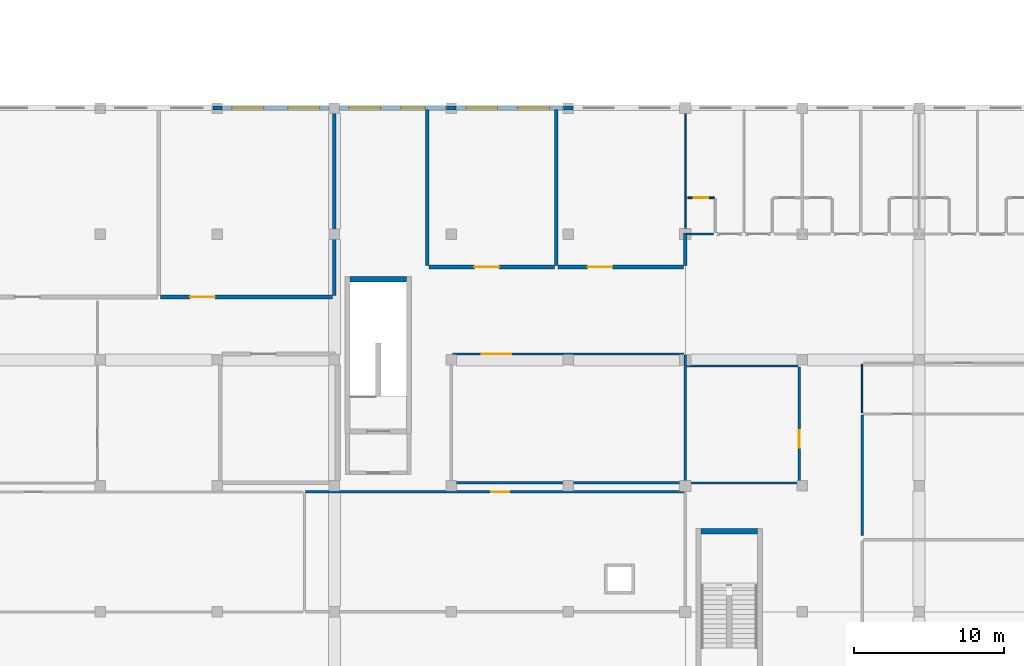
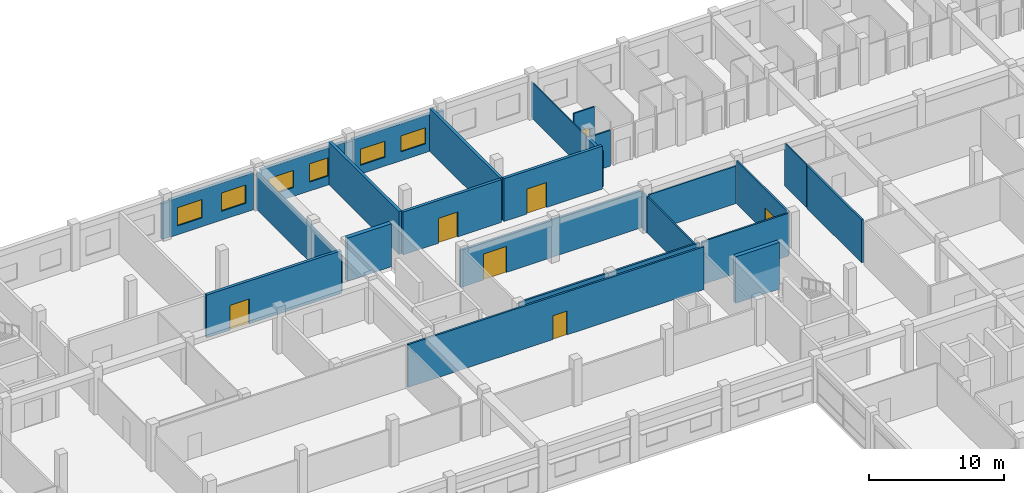
# One storey, part 40 of 53: 28 walls, 7 doors, 6 windows, 13 openings.
"""IFC4 building model written with IfcOpenShell, lengths in metres."""

import ifcopenshell
import ifcopenshell.guid

model = None  # the IFC model being written
_history = None  # IfcOwnerHistory: only IFC2X3 demands one
_inside = {}  # id of a spatial element -> (the spatial element, [elements in it])
_under = {}  # id of a project, library or spatial element -> (it, [spatial elements below it])
_declared = {}  # id of a project -> (the project, [libraries it declares])
_typed = {}  # id of a type object -> (the type object, [elements of that type])
_made_of = {}  # id of a material, layer set ... -> (it, [elements and type objects made of it])


def new_model(schema):
    """Start an empty IFC model of exactly this schema.

    Asked for "IFC4X3", IfcOpenShell would pick the latest addendum, in which some entities
    have other attributes; the version numbers below select the first issue.
    IFC2X3 requires an IfcOwnerHistory on every rooted entity: one is made here for all.
    """
    global model, _history
    if schema == "IFC4X3":
        model = ifcopenshell.file(schema_version=(4, 3, 0, 0))
    else:
        model = ifcopenshell.file(schema=schema)
    _inside.clear()
    _under.clear()
    _declared.clear()
    _typed.clear()
    _made_of.clear()
    _history = None
    if model.schema == "IFC2X3":
        org = make("IfcOrganization", Name="unknown")
        user = make(
            "IfcPersonAndOrganization",
            ThePerson=make("IfcPerson", FamilyName="unknown"),
            TheOrganization=org,
        )
        app = make(
            "IfcApplication",
            ApplicationDeveloper=org,
            Version="unknown",
            ApplicationFullName="unknown",
            ApplicationIdentifier="unknown",
        )
        _history = make(
            "IfcOwnerHistory",
            OwningUser=user,
            OwningApplication=app,
            ChangeAction="ADDED",
            CreationDate=0,
        )
    return model


def make(cls, **values):
    """One entity of the class cls with the attributes given. An attribute that is None is left unset."""
    return model.create_entity(
        cls, **{name: value for name, value in values.items() if value is not None}
    )


def rooted(cls, **values):
    """An entity with a GlobalId (a new one), such as an element, a storey or a relation."""
    return make(cls, GlobalId=ifcopenshell.guid.new(), OwnerHistory=_history, **values)


def si_unit(unit_type, name, prefix=None):
    """IfcSIUnit, for example si_unit("LENGTHUNIT", "METRE", prefix="MILLI")."""
    return make("IfcSIUnit", UnitType=unit_type, Prefix=prefix, Name=name)


def assignment(units):
    """IfcUnitAssignment: the units of a project."""
    return None if units is None else make("IfcUnitAssignment", Units=units)


def point(xyz):
    """IfcCartesianPoint."""
    return None if xyz is None else make("IfcCartesianPoint", Coordinates=xyz)


def direction(xyz):
    """IfcDirection."""
    return None if xyz is None else make("IfcDirection", DirectionRatios=xyz)


def frame(location, z_axis=None, x_axis=None):
    """IfcAxis2Placement3D, a coordinate frame: its origin and axes. An axis left out is left unset."""
    return make(
        "IfcAxis2Placement3D",
        Location=point(location),
        Axis=direction(z_axis),
        RefDirection=direction(x_axis),
    )


def frame_2d(location, x_axis=None):
    """IfcAxis2Placement2D, a coordinate frame in the plane: its origin and x axis."""
    return make(
        "IfcAxis2Placement2D", Location=point(location), RefDirection=direction(x_axis)
    )


def origin():
    """The frame at (0, 0, 0) with its axes left unset."""
    return frame((0.0, 0.0, 0.0))


def place(relative_to, where):
    """IfcLocalPlacement: puts the frame where relative to a parent placement (None: the world)."""
    return make(
        "IfcLocalPlacement", PlacementRelTo=relative_to, RelativePlacement=where
    )


def context(
    kind, dimensions, precision=None, world=None, true_north=None, identifier=None
):
    """IfcGeometricRepresentationContext, for example the 3D "Model" context."""
    return make(
        "IfcGeometricRepresentationContext",
        ContextIdentifier=identifier,
        ContextType=kind,
        CoordinateSpaceDimension=dimensions,
        Precision=precision,
        WorldCoordinateSystem=world,
        TrueNorth=true_north,
    )


def subcontext(parent, identifier, kind, view, scale=None):
    """IfcGeometricRepresentationSubContext, for example "Body" below "Model"."""
    return make(
        "IfcGeometricRepresentationSubContext",
        ContextIdentifier=identifier,
        ContextType=kind,
        ParentContext=parent,
        TargetScale=scale,
        TargetView=view,
    )


def project(units=None, contexts=None):
    """IfcProject with its units and contexts."""
    return rooted(
        "IfcProject",
        Name="project",
        RepresentationContexts=contexts,
        UnitsInContext=assignment(units),
    )


def spatial(cls, under=None, at=None, **own):
    """A site, building, storey or space (cls), placed at a placement, below another one or the project."""
    s = rooted(cls, ObjectPlacement=at, **own)
    if under is not None:
        _under.setdefault(under.id(), (under, []))[1].append(s)
    return s


def profile(cls, at=None, kind="AREA", **sizes):
    """A parametric profile (cls). Its sizes go by their IFC names, for example OverallWidth=200.0."""
    return make(cls, ProfileType=kind, Position=at, **sizes)


def rectangle(**sizes):
    """IfcRectangleProfileDef."""
    return profile("IfcRectangleProfileDef", **sizes)


def extrude(swept, where, along, depth):
    """IfcExtrudedAreaSolid: the profile swept, set in the frame where, extruded along a direction by depth."""
    return make(
        "IfcExtrudedAreaSolid",
        SweptArea=swept,
        Position=where,
        ExtrudedDirection=direction(along),
        Depth=depth,
    )


def shape(context_of_items, identifier, shape_type, items):
    """IfcShapeRepresentation: the items that make up one representation, for example the "Body"."""
    return make(
        "IfcShapeRepresentation",
        ContextOfItems=context_of_items,
        RepresentationIdentifier=identifier,
        RepresentationType=shape_type,
        Items=items,
    )


def material(Name=None, Category=None):
    """IfcMaterial."""
    return make("IfcMaterial", Name=Name, Category=Category)


def layer(
    of_material, thickness, ventilated=None, Name=None, Category=None, Priority=None
):
    """IfcMaterialLayer: one layer of a wall or slab, of a material (None: an air gap)."""
    return make(
        "IfcMaterialLayer",
        Material=of_material,
        LayerThickness=thickness,
        IsVentilated=ventilated,
        Name=Name,
        Category=Category,
        Priority=Priority,
    )


def layer_set(layers, Name=None):
    """IfcMaterialLayerSet."""
    return make("IfcMaterialLayerSet", MaterialLayers=layers, LayerSetName=Name)


def made_of(thing, what):
    """Note that an element or type object is made of a material, layer set ...; save() writes the relation."""
    if what is not None:
        _made_of.setdefault(what.id(), (what, []))[1].append(thing)
    return thing


def type_object(cls, material=None, **own):
    """A type object (cls), such as IfcWallType, which elements share."""
    return made_of(rooted(cls, **own), material)


def element(
    cls,
    number,
    at=None,
    inside=None,
    cuts=None,
    type_object=None,
    material=None,
    context=None,
    identifier="Body",
    shape_type=None,
    held_by="IfcProductDefinitionShape",
    body=None,
    shapes=None,
    **own,
):
    """One element of the class cls, such as IfcWall. Its Tag is "e" and its number.

    at: its placement. inside: the storey or other place that contains it. cuts: it is an
    opening in that element (IfcRelVoidsElement). A single representation is given by context,
    identifier, shape_type and body (its items); several are given by shapes. held_by: the class
    of the entity that holds the representations. save() writes the other relations.
    """
    e = rooted(cls, Tag="e%d" % number, ObjectPlacement=at, **own)
    if body is not None:
        shapes = [shape(context, identifier, shape_type, body)]
    if shapes is not None:
        e.Representation = make(held_by, Representations=shapes)
    if inside is not None:
        _inside.setdefault(inside.id(), (inside, []))[1].append(e)
    if cuts is not None:
        rooted(
            "IfcRelVoidsElement", RelatingBuildingElement=cuts, RelatedOpeningElement=e
        )
    if type_object is not None:
        _typed.setdefault(type_object.id(), (type_object, []))[1].append(e)
    return made_of(e, material)


def fill(opening, filler):
    """IfcRelFillsElement: the door or window that sits in an opening."""
    return rooted(
        "IfcRelFillsElement",
        RelatingOpeningElement=opening,
        RelatedBuildingElement=filler,
    )


def aggregate(whole, parts):
    """IfcRelAggregates: a whole, such as a stair, and the parts it consists of."""
    return rooted("IfcRelAggregates", RelatingObject=whole, RelatedObjects=parts)


def save(model, path):
    """Write the relations noted so far, then the file.

    IfcRelAggregates (storeys below a building ...), IfcRelContainedInSpatialStructure (elements
    in a storey), IfcRelDefinesByType, IfcRelAssociatesMaterial and IfcRelDeclares: one each for
    every whole, place, type object, material and project.
    """
    for whole, parts in _under.values():
        aggregate(whole, parts)
    for where, things in _inside.values():
        rooted(
            "IfcRelContainedInSpatialStructure",
            RelatedElements=things,
            RelatingStructure=where,
        )
    for kind, things in _typed.values():
        rooted("IfcRelDefinesByType", RelatedObjects=things, RelatingType=kind)
    for what, things in _made_of.values():
        rooted("IfcRelAssociatesMaterial", RelatedObjects=things, RelatingMaterial=what)
    for by, libraries in _declared.values():
        rooted("IfcRelDeclares", RelatingContext=by, RelatedDefinitions=libraries)
    model.write(path)


model = new_model("IFC4")

# Units and contexts
model_context = context("Model", 3, precision=1e-05, world=origin(), true_north=direction((0.0, 1.0)))
body_context = subcontext(model_context, "Body", "Model", "MODEL_VIEW")
ifc_project = project(units=[si_unit("LENGTHUNIT", "METRE"), si_unit("AREAUNIT", "SQUARE_METRE"), si_unit("VOLUMEUNIT", "CUBIC_METRE"), si_unit("PLANEANGLEUNIT", "RADIAN"), si_unit("MASSUNIT", "GRAM", prefix="KILO"), si_unit("THERMODYNAMICTEMPERATUREUNIT", "KELVIN"), si_unit("POWERUNIT", "WATT")], contexts=[model_context])

# Site, building, storey
site_placement = place(None, origin())
site = spatial("IfcSite", under=ifc_project, at=site_placement, CompositionType="ELEMENT")
building_placement = place(site_placement, origin())
building = spatial("IfcBuilding", under=site, at=building_placement, Name="Srebrne Nadtorze General Hospital", CompositionType="ELEMENT")
storey_placement = place(building_placement, frame((0.0, 0.0, 18.0)))
storey = spatial("IfcBuildingStorey", under=building, at=storey_placement, Name="L04", CompositionType="ELEMENT", Elevation=18.0)

# Wall, opening, door
ifc_material_1 = material(Name="Gypsum Healthcare Partition")
ifc_layer_1 = layer(ifc_material_1, 0.139892578125)
ifc_layer_set_1 = layer_set([ifc_layer_1], Name="Gypsum Healthcare Partition")
wall_type_1 = type_object("IfcWallType", Name="Clinical partition 140", PredefinedType="PARTITIONING", material=ifc_layer_set_1)
wall_1_placement = place(storey_placement, frame((109.0, 67.485107421875, 0.0), z_axis=(0.0, 0.0, 1.0), x_axis=(0.0, 1.0, 0.0)))
wall_1 = element("IfcWall", 1, at=wall_1_placement, inside=storey, type_object=wall_type_1, Name="Ward Telemetry Monitoring Room wall WL-INT-L04-1861", PredefinedType="PARTITIONING", context=body_context, shape_type="SweptSolid", body=[
    extrude(rectangle(XDim=7.6298828125, YDim=0.139892578125, at=frame_2d((3.81494140625, 0.0))), origin(), (0.0, 0.0, 1.0), 3.864990234375),
])
opening_1_placement = place(wall_1_placement, frame((2.25341796875, 0.0, 0.0)))
opening_1 = element("IfcOpeningElement", 2, at=opening_1_placement, cuts=wall_1, Name="Opening D-L04-0356", PredefinedType="OPENING", context=body_context, shape_type="SweptSolid", body=[
    extrude(rectangle(XDim=1.179931640625, YDim=2.199951171875, at=frame_2d((0.58984375, 1.10009765625))), frame((0.0, 0.08203125, 0.0), z_axis=(0.0, -1.0, 0.0), x_axis=(1.0, 0.0, 0.0)), (0.0, 0.0, 1.0), 0.163818359375),
])
ifc_material_2 = material(Name="Anodised Aluminium", Category="aluminium")
door_type_1 = type_object("IfcDoorType", Name="Single leaf door 1180x2200", OperationType="NOTDEFINED", PredefinedType="DOOR", material=ifc_material_2)
door_1_placement = place(opening_1_placement, origin())
door_1 = element("IfcDoor", 3, at=door_1_placement, inside=storey, type_object=door_type_1, Name="Ward Telemetry Monitoring Room door D-L04-0356", OperationType="SINGLE_SWING_LEFT", OverallHeight=2.199951171875, OverallWidth=1.179931640625, PredefinedType="DOOR", context=body_context, shape_type="SweptSolid", body=[
    extrude(rectangle(XDim=1.179931640625, YDim=2.199951171875, at=frame_2d((0.58984375, 1.10009765625))), frame((0.0, 0.02490234375, 0.0), z_axis=(0.0, -1.0, 0.0), x_axis=(1.0, 0.0, 0.0)), (0.0, 0.0, 1.0), 0.050048828125),
])
fill(opening_1, door_1)

# Walls
wall_2_placement = place(storey_placement, frame((101.485107421875, 67.39990234375, 0.0), z_axis=(0.0, 0.0, 1.0), x_axis=(1.0, 0.0, 0.0)))
element("IfcWall", 4, at=wall_2_placement, inside=storey, type_object=wall_type_1, Name="Ward Telemetry Monitoring Room wall WL-INT-L04-1862", PredefinedType="PARTITIONING", context=body_context, shape_type="SweptSolid", body=[
    extrude(rectangle(XDim=7.429931640625, YDim=0.139892578125, at=frame_2d((3.71484375, 0.0))), origin(), (0.0, 0.0, 1.0), 3.864990234375),
])
wall_3_placement = place(storey_placement, frame((101.485107421875, 75.199951171875, 0.0), z_axis=(0.0, 0.0, 1.0), x_axis=(1.0, 0.0, 0.0)))
element("IfcWall", 5, at=wall_3_placement, inside=storey, type_object=wall_type_1, Name="Ward Telemetry Monitoring Room wall WL-INT-L04-1863", PredefinedType="PARTITIONING", context=body_context, shape_type="SweptSolid", body=[
    extrude(rectangle(XDim=7.429931640625, YDim=0.139892578125, at=frame_2d((3.71484375, 0.0))), origin(), (0.0, 0.0, 1.0), 3.385009765625),
])
wall_4_placement = place(storey_placement, frame((101.39990234375, 67.485107421875, 0.0), z_axis=(0.0, 0.0, 1.0), x_axis=(0.0, 1.0, 0.0)))
element("IfcWall", 6, at=wall_4_placement, inside=storey, type_object=wall_type_1, Name="Ward Telemetry Monitoring Room wall WL-INT-L04-1864", PredefinedType="PARTITIONING", context=body_context, shape_type="SweptSolid", body=[
    extrude(rectangle(XDim=7.6298828125, YDim=0.139892578125, at=frame_2d((3.81494140625, 0.0))), origin(), (0.0, 0.0, 1.0), 3.235107421875),
])
ifc_material_3 = material(Name="Gypsum Healthcare Partition")
ifc_layer_2 = layer(ifc_material_3, 0.159912109375)
ifc_layer_set_2 = layer_set([ifc_layer_2], Name="Gypsum Healthcare Partition")
wall_type_2 = type_object("IfcWallType", Name="Clinical partition 160", PredefinedType="PARTITIONING", material=ifc_layer_set_2)
wall_5_placement = place(storey_placement, frame((113.199951171875, 63.885009765625, 0.0), z_axis=(0.0, 0.0, 1.0), x_axis=(0.0, 1.0, 0.0)))
element("IfcWall", 7, at=wall_5_placement, inside=storey, type_object=wall_type_2, Name="Coronary Step-Down Ward wall WL-INT-L04-1849", PredefinedType="PARTITIONING", context=body_context, shape_type="SweptSolid", body=[
    extrude(rectangle(XDim=8.030029296875, YDim=0.159912109375, at=frame_2d((4.01513671875, 0.0))), origin(), (0.0, 0.0, 1.0), 3.864990234375),
])

# Wall, opening, door
wall_6_placement = place(storey_placement, frame((85.885009765625, 76.0, 0.0), z_axis=(0.0, 0.0, 1.0), x_axis=(1.0, 0.0, 0.0)))
wall_6 = element("IfcWall", 8, at=wall_6_placement, inside=storey, type_object=wall_type_2, Name="Surgical Scrub and Perfusion Suite wall WL-INT-L04-1889", PredefinedType="PARTITIONING", context=body_context, shape_type="SweptSolid", body=[
    extrude(rectangle(XDim=15.429931640625, YDim=0.159912109375, at=frame_2d((7.71484375, 0.0))), origin(), (0.0, 0.0, 1.0), 3.385009765625),
])
opening_2_placement = place(wall_6_placement, frame((1.9580078125, 0.0, 0.0)))
opening_2 = element("IfcOpeningElement", 9, at=opening_2_placement, cuts=wall_6, Name="Opening D-L04-0364", PredefinedType="OPENING", context=body_context, shape_type="SweptSolid", body=[
    extrude(rectangle(XDim=1.949951171875, YDim=2.35009765625, at=frame_2d((0.97509765625, 1.175048828125))), frame((0.0, 0.091796875, 0.0), z_axis=(0.0, -1.0, 0.0), x_axis=(1.0, 0.0, 0.0)), (0.0, 0.0, 1.0), 0.183837890625),
])
ifc_material_4 = material(Name="Anodised Aluminium", Category="aluminium")
door_type_2 = type_object("IfcDoorType", Name="Double leaf door 1950x2350", OperationType="DOUBLE_DOOR_SINGLE_SWING", PredefinedType="DOOR", material=ifc_material_4)
door_2_placement = place(opening_2_placement, frame((1.949951171875, 0.0, 0.0), z_axis=(0.0, 0.0, 1.0), x_axis=(-1.0, 0.0, 0.0)))
door_2 = element("IfcDoor", 10, at=door_2_placement, inside=storey, type_object=door_type_2, Name="Surgical Scrub and Perfusion Suite door D-L04-0364", OperationType="DOUBLE_DOOR_SINGLE_SWING", OverallHeight=2.35009765625, OverallWidth=1.949951171875, PredefinedType="DOOR", context=body_context, shape_type="SweptSolid", body=[
    extrude(rectangle(XDim=1.949951171875, YDim=2.35009765625, at=frame_2d((0.97509765625, 1.175048828125))), frame((0.0, 0.02490234375, 0.0), z_axis=(0.0, -1.0, 0.0), x_axis=(1.0, 0.0, 0.0)), (0.0, 0.0, 1.0), 0.050048828125),
])
fill(opening_2, door_2)

# Walls
wall_7_placement = place(storey_placement, frame((85.885009765625, 67.39990234375, 0.0), z_axis=(0.0, 0.0, 1.0), x_axis=(1.0, 0.0, 0.0)))
element("IfcWall", 11, at=wall_7_placement, inside=storey, type_object=wall_type_2, Name="Surgical Scrub and Perfusion Suite wall WL-INT-L04-1890", PredefinedType="PARTITIONING", context=body_context, shape_type="SweptSolid", body=[
    extrude(rectangle(XDim=15.429931640625, YDim=0.159912109375, at=frame_2d((7.71484375, 0.0))), origin(), (0.0, 0.0, 1.0), 3.864990234375),
])
wall_8_placement = place(storey_placement, frame((101.39990234375, 75.155029296875, 0.0), z_axis=(0.0, 0.0, 1.0), x_axis=(0.0, 1.0, 0.0)))
element("IfcWall", 12, at=wall_8_placement, inside=storey, type_object=wall_type_2, Name="Surgical Scrub and Perfusion Suite wall WL-INT-L04-1892", PredefinedType="PARTITIONING", context=body_context, shape_type="SweptSolid", body=[
    extrude(rectangle(XDim=0.760009765625, YDim=0.159912109375, at=frame_2d((0.3798828125, 0.0))), origin(), (0.0, 0.0, 1.0), 3.235107421875),
])

# Wall, opening, door
wall_9_placement = place(storey_placement, frame((76.0849609375, 66.800048828125, 0.0), z_axis=(0.0, 0.0, 1.0), x_axis=(1.0, 0.0, 0.0)))
wall_9 = element("IfcWall", 13, at=wall_9_placement, inside=storey, type_object=wall_type_2, Name="Day Surgery Pre-Operative Suite wall WL-INT-L04-1900", PredefinedType="PARTITIONING", context=body_context, shape_type="SweptSolid", body=[
    extrude(rectangle(XDim=25.22998046875, YDim=0.159912109375, at=frame_2d((12.614990234375, 0.0))), origin(), (0.0, 0.0, 1.0), 3.864990234375),
])
opening_3_placement = place(wall_9_placement, frame((12.361083984375, 0.0, 0.0)))
opening_3 = element("IfcOpeningElement", 14, at=opening_3_placement, cuts=wall_9, Name="Opening D-L04-0367", PredefinedType="OPENING", context=body_context, shape_type="SweptSolid", body=[
    extrude(rectangle(XDim=1.199951171875, YDim=2.14990234375, at=frame_2d((0.60009765625, 1.074951171875))), frame((0.0, 0.091796875, 0.0), z_axis=(0.0, -1.0, 0.0), x_axis=(1.0, 0.0, 0.0)), (0.0, 0.0, 1.0), 0.183837890625),
])
ifc_material_5 = material(Name="Anodised Aluminium", Category="aluminium")
door_type_3 = type_object("IfcDoorType", Name="Single leaf door 1200x2150", OperationType="NOTDEFINED", PredefinedType="DOOR", material=ifc_material_5)
door_3_placement = place(opening_3_placement, frame((1.199951171875, 0.0, 0.0), z_axis=(0.0, 0.0, 1.0), x_axis=(-1.0, 0.0, 0.0)))
door_3 = element("IfcDoor", 15, at=door_3_placement, inside=storey, type_object=door_type_3, Name="Day Surgery Pre-Operative Suite door D-L04-0367", OperationType="SINGLE_SWING_LEFT", OverallHeight=2.14990234375, OverallWidth=1.199951171875, PredefinedType="DOOR", context=body_context, shape_type="SweptSolid", body=[
    extrude(rectangle(XDim=1.199951171875, YDim=2.14990234375, at=frame_2d((0.60009765625, 1.074951171875))), frame((0.0, 0.02490234375, 0.0), z_axis=(0.0, -1.0, 0.0), x_axis=(1.0, 0.0, 0.0)), (0.0, 0.0, 1.0), 0.050048828125),
])
fill(opening_3, door_3)

ifc_material_6 = material(Name="Gypsum Healthcare Partition")
ifc_layer_3 = layer(ifc_material_6, 0.239990234375)
ifc_layer_set_3 = layer_set([ifc_layer_3], Name="Gypsum Healthcare Partition")
wall_type_3 = type_object("IfcWallType", Name="Corridor fire wall 240", PredefinedType="STANDARD", material=ifc_layer_set_3)
wall_10_placement = place(storey_placement, frame((66.409912109375, 79.800048828125, 0.0), z_axis=(0.0, 0.0, 1.0), x_axis=(1.0, 0.0, 0.0)))
wall_10 = element("IfcWall", 16, at=wall_10_placement, inside=storey, type_object=wall_type_3, Name="Operating Theatre wall WL-INT-L04-1875", PredefinedType="STANDARD", context=body_context, shape_type="SweptSolid", body=[
    extrude(rectangle(XDim=11.47998046875, YDim=0.239990234375, at=frame_2d((5.739990234375, 0.0))), origin(), (0.0, 0.0, 1.0), 3.864990234375),
])
opening_4_placement = place(wall_10_placement, frame((1.977783203125, 0.0, 0.0)))
opening_4 = element("IfcOpeningElement", 17, at=opening_4_placement, cuts=wall_10, Name="Opening D-L04-0360", PredefinedType="OPENING", context=body_context, shape_type="SweptSolid", body=[
    extrude(rectangle(XDim=1.64990234375, YDim=2.25, at=frame_2d((0.824951171875, 1.125))), frame((0.0, 0.1318359375, 0.0), z_axis=(0.0, -1.0, 0.0), x_axis=(1.0, 0.0, 0.0)), (0.0, 0.0, 1.0), 0.263916015625),
])
ifc_material_7 = material(Name="Anodised Aluminium", Category="aluminium")
door_type_4 = type_object("IfcDoorType", Name="Double leaf door 1650x2250", OperationType="DOUBLE_DOOR_SINGLE_SWING", PredefinedType="DOOR", material=ifc_material_7)
door_4_placement = place(opening_4_placement, origin())
door_4 = element("IfcDoor", 18, at=door_4_placement, inside=storey, type_object=door_type_4, Name="Operating Theatre door D-L04-0360", OperationType="DOUBLE_DOOR_SINGLE_SWING", OverallHeight=2.25, OverallWidth=1.64990234375, PredefinedType="DOOR", context=body_context, shape_type="SweptSolid", body=[
    extrude(rectangle(XDim=1.64990234375, YDim=2.25, at=frame_2d((0.824951171875, 1.125))), frame((0.0, 0.02490234375, 0.0), z_axis=(0.0, -1.0, 0.0), x_axis=(1.0, 0.0, 0.0)), (0.0, 0.0, 1.0), 0.050048828125),
])
fill(opening_4, door_4)

# Walls
wall_11_placement = place(storey_placement, frame((69.889892578125, 92.39990234375, 0.0), z_axis=(0.0, 0.0, 1.0), x_axis=(1.0, 0.0, 0.0)))
element("IfcWall", 19, at=wall_11_placement, inside=storey, type_object=wall_type_3, Name="Operating Theatre wall WL-INT-L04-1876", PredefinedType="STANDARD", context=body_context, shape_type="SweptSolid", body=[
    extrude(rectangle(XDim=0.6201171875, YDim=0.239990234375, at=frame_2d((0.31005859375, 0.0))), origin(), (0.0, 0.0, 1.0), 3.235107421875),
])
wall_12_placement = place(storey_placement, frame((78.0, 79.909912109375, 0.0), z_axis=(0.0, 0.0, 1.0), x_axis=(0.0, 1.0, 0.0)))
element("IfcWall", 20, at=wall_12_placement, inside=storey, type_object=wall_type_3, Name="Operating Theatre wall WL-INT-L04-1877", PredefinedType="STANDARD", context=body_context, shape_type="SweptSolid", body=[
    extrude(rectangle(XDim=12.380126953125, YDim=0.239990234375, at=frame_2d((6.18994140625, 0.0))), origin(), (0.0, 0.0, 1.0), 3.235107421875),
])

# Wall, opening, door
wall_13_placement = place(storey_placement, frame((84.31005859375, 81.800048828125, 0.0), z_axis=(0.0, 0.0, 1.0), x_axis=(1.0, 0.0, 0.0)))
wall_13 = element("IfcWall", 21, at=wall_13_placement, inside=storey, type_object=wall_type_3, Name="Operating Theatre wall WL-INT-L04-1878", PredefinedType="STANDARD", context=body_context, shape_type="SweptSolid", body=[
    extrude(rectangle(XDim=8.3798828125, YDim=0.239990234375, at=frame_2d((4.18994140625, 0.0))), origin(), (0.0, 0.0, 1.0), 3.864990234375),
])
opening_5_placement = place(wall_13_placement, frame((3.018798828125, 0.0, 0.0)))
opening_5 = element("IfcOpeningElement", 22, at=opening_5_placement, cuts=wall_13, Name="Opening D-L04-0361", PredefinedType="OPENING", context=body_context, shape_type="SweptSolid", body=[
    extrude(rectangle(XDim=1.64990234375, YDim=2.25, at=frame_2d((0.824951171875, 1.125))), frame((0.0, 0.1318359375, 0.0), z_axis=(0.0, -1.0, 0.0), x_axis=(1.0, 0.0, 0.0)), (0.0, 0.0, 1.0), 0.263916015625),
])
door_5_placement = place(opening_5_placement, origin())
door_5 = element("IfcDoor", 23, at=door_5_placement, inside=storey, type_object=door_type_4, Name="Operating Theatre door D-L04-0361", OperationType="DOUBLE_DOOR_SINGLE_SWING", OverallHeight=2.25, OverallWidth=1.64990234375, PredefinedType="DOOR", context=body_context, shape_type="SweptSolid", body=[
    extrude(rectangle(XDim=1.64990234375, YDim=2.25, at=frame_2d((0.824951171875, 1.125))), frame((0.0, 0.02490234375, 0.0), z_axis=(0.0, -1.0, 0.0), x_axis=(1.0, 0.0, 0.0)), (0.0, 0.0, 1.0), 0.050048828125),
])
fill(opening_5, door_5)

# Walls
wall_14_placement = place(storey_placement, frame((85.489990234375, 92.39990234375, 0.0), z_axis=(0.0, 0.0, 1.0), x_axis=(1.0, 0.0, 0.0)))
element("IfcWall", 24, at=wall_14_placement, inside=storey, type_object=wall_type_3, Name="Operating Theatre wall WL-INT-L04-1879", PredefinedType="STANDARD", context=body_context, shape_type="SweptSolid", body=[
    extrude(rectangle(XDim=0.6201171875, YDim=0.239990234375, at=frame_2d((0.31005859375, 0.0))), origin(), (0.0, 0.0, 1.0), 3.235107421875),
])
for number, where, z_axis, x_axis, name in (
    (25, (84.199951171875, 81.909912109375, 0.0), (0.0, 0.0, 1.0), (0.0, 1.0, 0.0), "Operating Theatre wall WL-INT-L04-1880"),
    (26, (92.800048828125, 81.909912109375, 0.0), (0.0, 0.0, 1.0), (0.0, 1.0, 0.0), "Operating Theatre wall WL-INT-L04-1881"),
):
    element("IfcWall", number, at=place(storey_placement, frame(where, z_axis=z_axis, x_axis=x_axis)), inside=storey, type_object=wall_type_3, Name=name, PredefinedType="STANDARD", context=body_context, shape_type="SweptSolid", body=[
        extrude(rectangle(XDim=10.380126953125, YDim=0.239990234375, at=frame_2d((5.18994140625, 0.0))), origin(), (0.0, 0.0, 1.0), 3.864990234375),
    ])

# Wall, opening, door
wall_15_placement = place(storey_placement, frame((92.909912109375, 81.800048828125, 0.0), z_axis=(0.0, 0.0, 1.0), x_axis=(1.0, 0.0, 0.0)))
wall_15 = element("IfcWall", 27, at=wall_15_placement, inside=storey, type_object=wall_type_3, Name="Operating Theatre wall WL-INT-L04-1882", PredefinedType="STANDARD", context=body_context, shape_type="SweptSolid", body=[
    extrude(rectangle(XDim=8.380126953125, YDim=0.239990234375, at=frame_2d((4.18994140625, 0.0))), origin(), (0.0, 0.0, 1.0), 3.864990234375),
])
opening_6_placement = place(wall_15_placement, frame((1.980712890625, 0.0, 0.0)))
opening_6 = element("IfcOpeningElement", 28, at=opening_6_placement, cuts=wall_15, Name="Opening D-L04-0362", PredefinedType="OPENING", context=body_context, shape_type="SweptSolid", body=[
    extrude(rectangle(XDim=1.64990234375, YDim=2.25, at=frame_2d((0.824951171875, 1.125))), frame((0.0, 0.1318359375, 0.0), z_axis=(0.0, -1.0, 0.0), x_axis=(1.0, 0.0, 0.0)), (0.0, 0.0, 1.0), 0.263916015625),
])
door_6_placement = place(opening_6_placement, origin())
door_6 = element("IfcDoor", 29, at=door_6_placement, inside=storey, type_object=door_type_4, Name="Operating Theatre door D-L04-0362", OperationType="DOUBLE_DOOR_SINGLE_SWING", OverallHeight=2.25, OverallWidth=1.64990234375, PredefinedType="DOOR", context=body_context, shape_type="SweptSolid", body=[
    extrude(rectangle(XDim=1.64990234375, YDim=2.25, at=frame_2d((0.824951171875, 1.125))), frame((0.0, 0.02490234375, 0.0), z_axis=(0.0, -1.0, 0.0), x_axis=(1.0, 0.0, 0.0)), (0.0, 0.0, 1.0), 0.050048828125),
])
fill(opening_6, door_6)

# Walls
wall_16_placement = place(storey_placement, frame((93.2900390625, 92.39990234375, 0.0), z_axis=(0.0, 0.0, 1.0), x_axis=(1.0, 0.0, 0.0)))
element("IfcWall", 30, at=wall_16_placement, inside=storey, type_object=wall_type_3, Name="Operating Theatre wall WL-INT-L04-1883", PredefinedType="STANDARD", context=body_context, shape_type="SweptSolid", body=[
    extrude(rectangle(XDim=0.619873046875, YDim=0.239990234375, at=frame_2d((0.31005859375, 0.0))), origin(), (0.0, 0.0, 1.0), 3.235107421875),
])
wall_17_placement = place(storey_placement, frame((101.39990234375, 81.909912109375, 0.0), z_axis=(0.0, 0.0, 1.0), x_axis=(0.0, 1.0, 0.0)))
element("IfcWall", 31, at=wall_17_placement, inside=storey, type_object=wall_type_3, Name="Operating Theatre wall WL-INT-L04-1884", PredefinedType="STANDARD", context=body_context, shape_type="SweptSolid", body=[
    extrude(rectangle(XDim=2.170166015625, YDim=0.239990234375, at=frame_2d((1.0849609375, 0.0))), origin(), (0.0, 0.0, 1.0), 3.235107421875),
])
ifc_material_8 = material(Name="Gypsum Healthcare Partition")
ifc_layer_4 = layer(ifc_material_8, 0.1201171875)
ifc_layer_set_4 = layer_set([ifc_layer_4], Name="Gypsum Healthcare Partition")
wall_type_4 = type_object("IfcWallType", Name="En-suite partition 120", PredefinedType="PARTITIONING", material=ifc_layer_set_4)
wall_18_placement = place(storey_placement, frame((101.52001953125, 84.0, 0.0), z_axis=(0.0, 0.0, 1.0), x_axis=(1.0, 0.0, 0.0)))
element("IfcWall", 32, at=wall_18_placement, inside=storey, type_object=wall_type_4, Name="En-suite corridor wall WL-INT-L04-1728", PredefinedType="PARTITIONING", context=body_context, shape_type="SweptSolid", body=[
    extrude(rectangle(XDim=1.760009765625, YDim=0.1201171875, at=frame_2d((0.8798828125, 0.0))), origin(), (0.0, 0.0, 1.0), 3.235107421875),
])

# Wall, opening, door
wall_19_placement = place(storey_placement, frame((101.580078125, 86.419921875, 0.0), z_axis=(0.0, 0.0, 1.0), x_axis=(1.0, 0.0, 0.0)))
wall_19 = element("IfcWall", 33, at=wall_19_placement, inside=storey, type_object=wall_type_4, Name="En-suite wet wall WL-INT-L04-1730", PredefinedType="PARTITIONING", context=body_context, shape_type="SweptSolid", body=[
    extrude(rectangle(XDim=1.760009765625, YDim=0.1201171875, at=frame_2d((0.8798828125, 0.0))), origin(), (0.0, 0.0, 1.0), 3.864990234375),
])
opening_7_placement = place(wall_19_placement, frame((0.39990234375, 0.0, 0.0)))
opening_7 = element("IfcOpeningElement", 34, at=opening_7_placement, cuts=wall_19, Name="Opening D-L04-0307", PredefinedType="OPENING", context=body_context, shape_type="SweptSolid", body=[
    extrude(rectangle(XDim=0.9599609375, YDim=2.1201171875, at=frame_2d((0.47998046875, 1.06005859375))), frame((0.0, 0.072021484375, 0.0), z_axis=(0.0, -1.0, 0.0), x_axis=(1.0, 0.0, 0.0)), (0.0, 0.0, 1.0), 0.14404296875),
])
ifc_material_9 = material(Name="Anodised Aluminium", Category="aluminium")
door_type_5 = type_object("IfcDoorType", Name="Single leaf door 960x2120", OperationType="NOTDEFINED", PredefinedType="DOOR", material=ifc_material_9)
door_7_placement = place(opening_7_placement, frame((0.9599609375, 0.0, 0.0), z_axis=(0.0, 0.0, 1.0), x_axis=(-1.0, 0.0, 0.0)))
door_7 = element("IfcDoor", 35, at=door_7_placement, inside=storey, type_object=door_type_5, Name="En-suite bathroom door D-L04-0307", OperationType="SINGLE_SWING_RIGHT", OverallHeight=2.1201171875, OverallWidth=0.9599609375, PredefinedType="DOOR", context=body_context, shape_type="SweptSolid", body=[
    extrude(rectangle(XDim=0.9599609375, YDim=2.1201171875, at=frame_2d((0.47998046875, 1.06005859375))), frame((0.0, 0.02490234375, 0.0), z_axis=(0.0, -1.0, 0.0), x_axis=(1.0, 0.0, 0.0)), (0.0, 0.0, 1.0), 0.050048828125),
])
fill(opening_7, door_7)

# Walls
ifc_material_10 = material(Name="Gypsum Healthcare Partition")
ifc_layer_5 = layer(ifc_material_10, 0.10009765625)
ifc_layer_set_5 = layer_set([ifc_layer_5], Name="Gypsum Healthcare Partition")
wall_type_5 = type_object("IfcWallType", Name="Shaft lining wall 100", PredefinedType="PARTITIONING", material=ifc_layer_set_5)
wall_20_placement = place(storey_placement, frame((101.39990234375, 84.1201171875, 0.0), z_axis=(0.0, 0.0, 1.0), x_axis=(0.0, 1.0, 0.0)))
element("IfcWall", 36, at=wall_20_placement, inside=storey, type_object=wall_type_5, Name="Ward inter-room partition WL-INT-L04-1725", PredefinedType="PARTITIONING", context=body_context, shape_type="SweptSolid", body=[
    extrude(rectangle(XDim=8.159912109375, YDim=0.10009765625, at=frame_2d((4.080078125, 0.0))), origin(), (0.0, 0.0, 1.0), 3.235107421875),
])
wall_21_placement = place(storey_placement, frame((113.199951171875, 72.0849609375, 0.0), z_axis=(0.0, 0.0, 1.0), x_axis=(0.0, 1.0, 0.0)))
element("IfcWall", 37, at=wall_21_placement, inside=storey, type_object=wall_type_5, Name="Inpatient Ward Day Room wall WL-INT-L04-1866", PredefinedType="PARTITIONING", context=body_context, shape_type="SweptSolid", body=[
    extrude(rectangle(XDim=3.22998046875, YDim=0.10009765625, at=frame_2d((1.614990234375, 0.0))), origin(), (0.0, 0.0, 1.0), 3.864990234375),
])
ifc_material_11 = material(Name="Concrete C40/50", Category="concrete")
ifc_layer_6 = layer(ifc_material_11, 0.35009765625)
ifc_layer_set_6 = layer_set([ifc_layer_6], Name="Concrete C40/50")
wall_type_6 = type_object("IfcWallType", Name="Shear core wall 350", PredefinedType="SHEAR", material=ifc_layer_set_6)
wall_22_placement = place(storey_placement, frame((102.449951171875, 64.175048828125, 0.0), z_axis=(0.0, 0.0, 1.0), x_axis=(1.0, 0.0, 0.0)))
element("IfcWall", 38, at=wall_22_placement, inside=storey, type_object=wall_type_6, Name="Stair core wall ST-03 WL-INT-L04-0307", PredefinedType="SHEAR", context=body_context, shape_type="SweptSolid", body=[
    extrude(rectangle(XDim=3.75, YDim=0.35009765625, at=frame_2d((1.875, 0.0))), origin(), (0.0, 0.0, 1.0), 4.199951171875),
])
wall_23_placement = place(storey_placement, frame((79.050048828125, 80.97509765625, 0.0), z_axis=(0.0, 0.0, 1.0), x_axis=(1.0, 0.0, 0.0)))
element("IfcWall", 39, at=wall_23_placement, inside=storey, type_object=wall_type_6, Name="Stair core wall ST-07 WL-INT-L04-0323", PredefinedType="SHEAR", context=body_context, shape_type="SweptSolid", body=[
    extrude(rectangle(XDim=3.75, YDim=0.35009765625, at=frame_2d((1.875, 0.0))), origin(), (0.0, 0.0, 1.0), 3.885009765625),
])

# Wall, openings, windows
ifc_material_12 = material(Name="Concrete C35/45 precast", Category="concrete")
ifc_layer_7 = layer(ifc_material_12, 0.280029296875)
ifc_layer_set_7 = layer_set([ifc_layer_7], Name="Concrete C35/45 precast")
wall_type_7 = type_object("IfcWallType", Name="Spandrel wall 280", PredefinedType="STANDARD", material=ifc_layer_set_7)
wall_24_placement = place(storey_placement, frame((70.550048828125, 92.39990234375, 0.0), z_axis=(0.0, 0.0, 1.0), x_axis=(1.0, 0.0, 0.0)))
wall_24 = element("IfcWall", 40, at=wall_24_placement, inside=storey, type_object=wall_type_7, Name="Exterior wall WL-ENV-L04-0366", PredefinedType="STANDARD", context=body_context, shape_type="SweptSolid", body=[
    extrude(rectangle(XDim=7.099853515625, YDim=0.280029296875, at=frame_2d((3.5498046875, 0.0))), origin(), (0.0, 0.0, 1.0), 3.3349609375),
])
opening_8_placement = place(wall_24_placement, frame((0.6279296875, 0.0, 0.800048828125)))
opening_8 = element("IfcOpeningElement", 41, at=opening_8_placement, cuts=wall_24, Name="Opening WN-L04-0555", PredefinedType="OPENING", context=body_context, shape_type="SweptSolid", body=[
    extrude(rectangle(XDim=2.10009765625, YDim=1.64990234375, at=frame_2d((1.050048828125, 0.824951171875))), frame((0.0, 0.15185546875, 0.0), z_axis=(0.0, -1.0, 0.0), x_axis=(1.0, 0.0, 0.0)), (0.0, 0.0, 1.0), 0.303955078125),
])
opening_9_placement = place(wall_24_placement, frame((4.3720703125, 0.0, 0.800048828125)))
opening_9 = element("IfcOpeningElement", 42, at=opening_9_placement, cuts=wall_24, Name="Opening WN-L04-0556", PredefinedType="OPENING", context=body_context, shape_type="SweptSolid", body=[
    extrude(rectangle(XDim=2.10009765625, YDim=1.64990234375, at=frame_2d((1.050048828125, 0.824951171875))), frame((0.0, 0.15185546875, 0.0), z_axis=(0.0, -1.0, 0.0), x_axis=(1.0, 0.0, 0.0)), (0.0, 0.0, 1.0), 0.303955078125),
])
ifc_material_13 = material(Name="Triple Low-E Glazing", Category="glass")
window_type_1 = type_object("IfcWindowType", Name="Punched clinical window 2100x1650", PartitioningType="DOUBLE_PANEL_VERTICAL", PredefinedType="WINDOW", material=ifc_material_13)
window_1_placement = place(opening_8_placement, origin())
window_1 = element("IfcWindow", 43, at=window_1_placement, inside=storey, type_object=window_type_1, Name="Clinical window WN-L04-0555", OverallHeight=1.64990234375, OverallWidth=2.10009765625, PartitioningType="DOUBLE_PANEL_VERTICAL", PredefinedType="WINDOW", context=body_context, shape_type="SweptSolid", body=[
    extrude(rectangle(XDim=2.10009765625, YDim=1.64990234375, at=frame_2d((1.050048828125, 0.824951171875))), frame((0.0, 0.030029296875, 0.0), z_axis=(0.0, -1.0, 0.0), x_axis=(1.0, 0.0, 0.0)), (0.0, 0.0, 1.0), 0.06005859375),
])
fill(opening_8, window_1)
window_2_placement = place(opening_9_placement, origin())
window_2 = element("IfcWindow", 44, at=window_2_placement, inside=storey, type_object=window_type_1, Name="Clinical window WN-L04-0556", OverallHeight=1.64990234375, OverallWidth=2.10009765625, PartitioningType="DOUBLE_PANEL_VERTICAL", PredefinedType="WINDOW", context=body_context, shape_type="SweptSolid", body=[
    extrude(rectangle(XDim=2.10009765625, YDim=1.64990234375, at=frame_2d((1.050048828125, 0.824951171875))), frame((0.0, 0.030029296875, 0.0), z_axis=(0.0, -1.0, 0.0), x_axis=(1.0, 0.0, 0.0)), (0.0, 0.0, 1.0), 0.06005859375),
])
fill(opening_9, window_2)

wall_25_placement = place(storey_placement, frame((78.35009765625, 92.39990234375, 0.0), z_axis=(0.0, 0.0, 1.0), x_axis=(1.0, 0.0, 0.0)))
wall_25 = element("IfcWall", 45, at=wall_25_placement, inside=storey, type_object=wall_type_7, Name="Exterior wall WL-ENV-L04-0367", PredefinedType="STANDARD", context=body_context, shape_type="SweptSolid", body=[
    extrude(rectangle(XDim=7.099853515625, YDim=0.280029296875, at=frame_2d((3.5498046875, 0.0))), origin(), (0.0, 0.0, 1.0), 3.3349609375),
])
opening_10_placement = place(wall_25_placement, frame((0.6279296875, 0.0, 0.800048828125)))
opening_10 = element("IfcOpeningElement", 46, at=opening_10_placement, cuts=wall_25, Name="Opening WN-L04-0557", PredefinedType="OPENING", context=body_context, shape_type="SweptSolid", body=[
    extrude(rectangle(XDim=2.10009765625, YDim=1.550048828125, at=frame_2d((1.050048828125, 0.77490234375))), frame((0.0, 0.15185546875, 0.0), z_axis=(0.0, -1.0, 0.0), x_axis=(1.0, 0.0, 0.0)), (0.0, 0.0, 1.0), 0.303955078125),
])
opening_11_placement = place(wall_25_placement, frame((4.10205078125, 0.0, 0.800048828125)))
opening_11 = element("IfcOpeningElement", 47, at=opening_11_placement, cuts=wall_25, Name="Opening WN-L04-0558", PredefinedType="OPENING", context=body_context, shape_type="SweptSolid", body=[
    extrude(rectangle(XDim=1.60009765625, YDim=1.64990234375, at=frame_2d((0.800048828125, 0.824951171875))), frame((0.0, 0.15185546875, 0.0), z_axis=(0.0, -1.0, 0.0), x_axis=(1.0, 0.0, 0.0)), (0.0, 0.0, 1.0), 0.303955078125),
])
ifc_material_14 = material(Name="Triple Low-E Glazing", Category="glass")
window_type_2 = type_object("IfcWindowType", Name="Punched clinical window 1600x1650", PartitioningType="DOUBLE_PANEL_VERTICAL", PredefinedType="WINDOW", material=ifc_material_14)
window_3_placement = place(opening_11_placement, origin())
window_3 = element("IfcWindow", 48, at=window_3_placement, inside=storey, type_object=window_type_2, Name="Clinical window WN-L04-0558", OverallHeight=1.64990234375, OverallWidth=1.60009765625, PartitioningType="DOUBLE_PANEL_VERTICAL", PredefinedType="WINDOW", context=body_context, shape_type="SweptSolid", body=[
    extrude(rectangle(XDim=1.60009765625, YDim=1.64990234375, at=frame_2d((0.800048828125, 0.824951171875))), frame((0.0, 0.030029296875, 0.0), z_axis=(0.0, -1.0, 0.0), x_axis=(1.0, 0.0, 0.0)), (0.0, 0.0, 1.0), 0.06005859375),
])
fill(opening_11, window_3)
ifc_material_15 = material(Name="Triple Low-E Glazing", Category="glass")
window_type_3 = type_object("IfcWindowType", Name="Punched clinical window 2100x1550", PartitioningType="DOUBLE_PANEL_VERTICAL", PredefinedType="WINDOW", material=ifc_material_15)
window_4_placement = place(opening_10_placement, origin())
window_4 = element("IfcWindow", 49, at=window_4_placement, inside=storey, type_object=window_type_3, Name="Clinical window WN-L04-0557", OverallHeight=1.550048828125, OverallWidth=2.10009765625, PartitioningType="DOUBLE_PANEL_VERTICAL", PredefinedType="WINDOW", context=body_context, shape_type="SweptSolid", body=[
    extrude(rectangle(XDim=2.10009765625, YDim=1.550048828125, at=frame_2d((1.050048828125, 0.77490234375))), frame((0.0, 0.030029296875, 0.0), z_axis=(0.0, -1.0, 0.0), x_axis=(1.0, 0.0, 0.0)), (0.0, 0.0, 1.0), 0.06005859375),
])
fill(opening_10, window_4)

wall_26_placement = place(storey_placement, frame((86.14990234375, 92.39990234375, 0.0), z_axis=(0.0, 0.0, 1.0), x_axis=(1.0, 0.0, 0.0)))
wall_26 = element("IfcWall", 50, at=wall_26_placement, inside=storey, type_object=wall_type_7, Name="Exterior wall WL-ENV-L04-0368", PredefinedType="STANDARD", context=body_context, shape_type="SweptSolid", body=[
    extrude(rectangle(XDim=7.10009765625, YDim=0.280029296875, at=frame_2d((3.550048828125, 0.0))), origin(), (0.0, 0.0, 1.0), 3.3349609375),
])
opening_12_placement = place(wall_26_placement, frame((0.6279296875, 0.0, 0.800048828125)))
opening_12 = element("IfcOpeningElement", 51, at=opening_12_placement, cuts=wall_26, Name="Opening WN-L04-0559", PredefinedType="OPENING", context=body_context, shape_type="SweptSolid", body=[
    extrude(rectangle(XDim=2.10009765625, YDim=1.449951171875, at=frame_2d((1.050048828125, 0.72509765625))), frame((0.0, 0.15185546875, 0.0), z_axis=(0.0, -1.0, 0.0), x_axis=(1.0, 0.0, 0.0)), (0.0, 0.0, 1.0), 0.303955078125),
])
opening_13_placement = place(wall_26_placement, frame((4.092041015625, 0.0, 0.800048828125)))
opening_13 = element("IfcOpeningElement", 52, at=opening_13_placement, cuts=wall_26, Name="Opening WN-L04-0560", PredefinedType="OPENING", context=body_context, shape_type="SweptSolid", body=[
    extrude(rectangle(XDim=2.10009765625, YDim=1.449951171875, at=frame_2d((1.050048828125, 0.72509765625))), frame((0.0, 0.15185546875, 0.0), z_axis=(0.0, -1.0, 0.0), x_axis=(1.0, 0.0, 0.0)), (0.0, 0.0, 1.0), 0.303955078125),
])
ifc_material_16 = material(Name="Triple Low-E Glazing", Category="glass")
window_type_4 = type_object("IfcWindowType", Name="Punched clinical window 2100x1450", PartitioningType="DOUBLE_PANEL_VERTICAL", PredefinedType="WINDOW", material=ifc_material_16)
window_5_placement = place(opening_12_placement, origin())
window_5 = element("IfcWindow", 53, at=window_5_placement, inside=storey, type_object=window_type_4, Name="Clinical window WN-L04-0559", OverallHeight=1.449951171875, OverallWidth=2.10009765625, PartitioningType="DOUBLE_PANEL_VERTICAL", PredefinedType="WINDOW", context=body_context, shape_type="SweptSolid", body=[
    extrude(rectangle(XDim=2.10009765625, YDim=1.449951171875, at=frame_2d((1.050048828125, 0.72509765625))), frame((0.0, 0.030029296875, 0.0), z_axis=(0.0, -1.0, 0.0), x_axis=(1.0, 0.0, 0.0)), (0.0, 0.0, 1.0), 0.06005859375),
])
fill(opening_12, window_5)
window_6_placement = place(opening_13_placement, origin())
window_6 = element("IfcWindow", 54, at=window_6_placement, inside=storey, type_object=window_type_4, Name="Clinical window WN-L04-0560", OverallHeight=1.449951171875, OverallWidth=2.10009765625, PartitioningType="DOUBLE_PANEL_VERTICAL", PredefinedType="WINDOW", context=body_context, shape_type="SweptSolid", body=[
    extrude(rectangle(XDim=2.10009765625, YDim=1.449951171875, at=frame_2d((1.050048828125, 0.72509765625))), frame((0.0, 0.030029296875, 0.0), z_axis=(0.0, -1.0, 0.0), x_axis=(1.0, 0.0, 0.0)), (0.0, 0.0, 1.0), 0.06005859375),
])
fill(opening_13, window_6)

save(model, "model.ifc")
